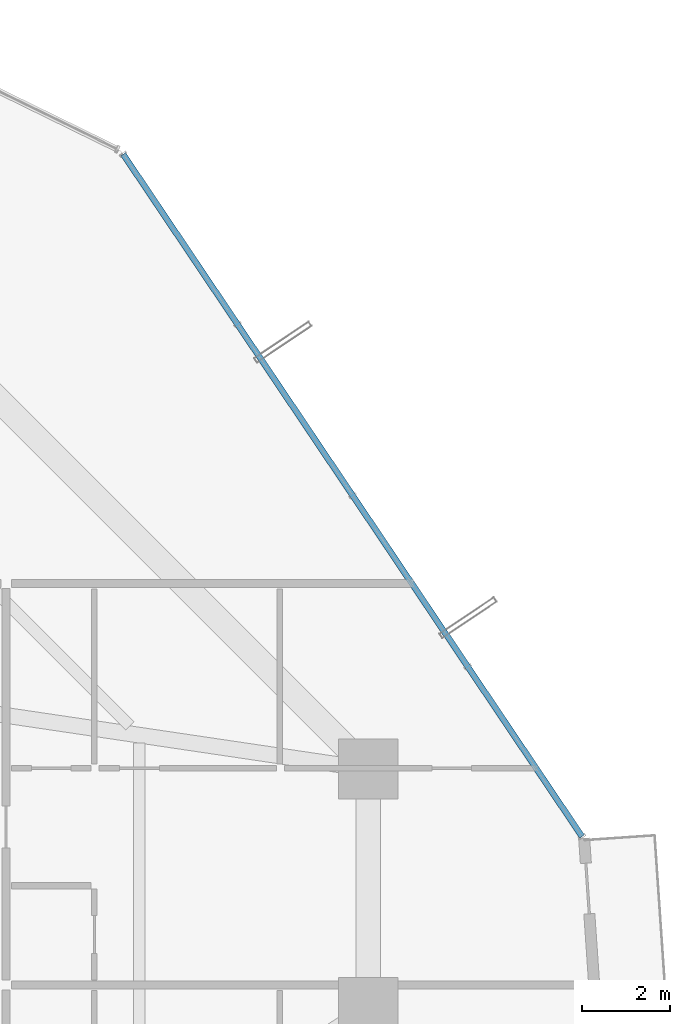
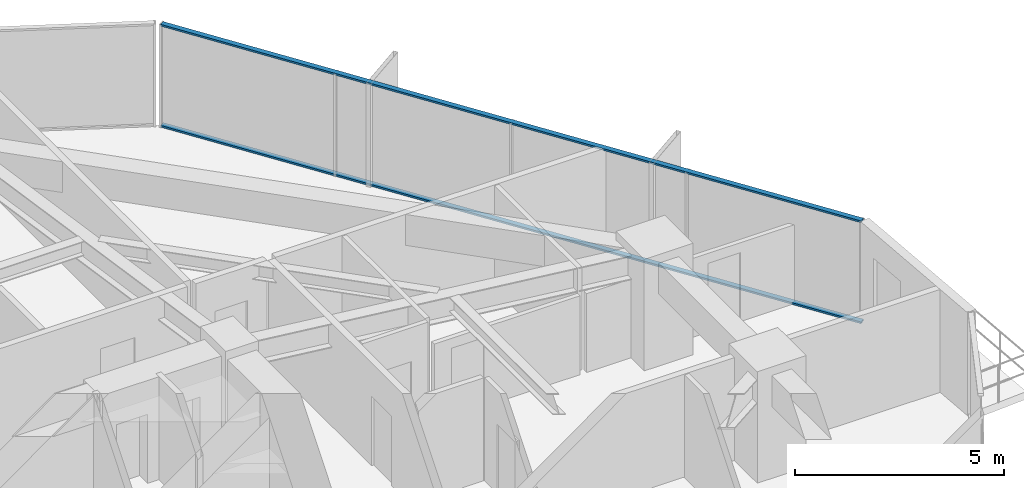
# One storey, part 30 of 37: 2 members, 1 element without a shape of its own.
"""IFC4 building model written with IfcOpenShell, lengths in metres."""

from ifc_helpers import new_model, si_unit, direction, frame, origin, origin_2d, place, context, subcontext, project, spatial, hollow_rectangle, extrude, source, transform, mapped, material, layer, layer_set, material_profile, profile_set, type_object, element, aggregate, save


model = new_model("IFC4")

# Units and contexts
model_context = context("Model", 3, precision=1e-05, world=origin(), true_north=direction((0.0, 1.0)))
body_context = subcontext(model_context, "Body", "Model", "MODEL_VIEW")
ifc_project = project(units=[si_unit("LENGTHUNIT", "METRE"), si_unit("AREAUNIT", "SQUARE_METRE"), si_unit("VOLUMEUNIT", "CUBIC_METRE"), si_unit("PLANEANGLEUNIT", "RADIAN"), si_unit("MASSUNIT", "GRAM", prefix="KILO")], contexts=[model_context])

# Site, building, storey
site_placement = place(None, origin())
site = spatial("IfcSite", under=ifc_project, at=site_placement, CompositionType="ELEMENT")
building_placement = place(site_placement, origin())
building = spatial("IfcBuilding", under=site, at=building_placement, Name="Veraguas Prism Commons", CompositionType="ELEMENT")
storey_placement = place(building_placement, frame((0.0, 0.0, 37.050048828125)))
storey = spatial("IfcBuildingStorey", under=building, at=storey_placement, Name="L09", CompositionType="ELEMENT", Elevation=37.050048828125)

# Curtain wall, members
ifc_material = material(Name="Anodised aluminium EN AW-6063 T6", Category="aluminium")
ifc_layer = layer(ifc_material, 0.169921875, Name="Unitised Flush Curtain Wall Zone 1", Category="aluminium")
ifc_layer_set = layer_set([ifc_layer], Name="Anodised aluminium EN AW-6063 T6")
curtain_wall_type = type_object("IfcCurtainWallType", Name="Unitised Flush Curtain Wall Zone 1", PredefinedType="NOTDEFINED", material=ifc_layer_set)
curtain_wall_placement = place(storey_placement, origin())
curtain_wall = element("IfcCurtainWall", 1, at=curtain_wall_placement, inside=storey, type_object=curtain_wall_type, Name="Tower Facade Curtain Wall L09-F1", PredefinedType="NOTDEFINED")
ifc_material_profile = material_profile(ifc_material, hollow_rectangle(XDim=0.054931640625, YDim=0.135009765625, WallThickness=0.0029296875, at=origin_2d()), Name="AL55X135X3")
ifc_profile_set = profile_set([ifc_material_profile], Name="Anodised aluminium EN AW-6063 T6")
member_type = type_object("IfcMemberType", Name="Curtain Wall Transom Standard AL 55x135x3", PredefinedType="USERDEFINED", material=ifc_profile_set)
shared_shape = source(origin(), body_context, "Body", "SweptSolid", [
    extrude(hollow_rectangle(XDim=0.054931640625, YDim=0.135009765625, WallThickness=0.0029296875, at=origin_2d()), origin(), (0.0, 0.0, 1.0), 18.623779296875),
])
member_1_placement = place(storey_placement, frame((46.44384765625, 27.871337890625, 0.02734375), z_axis=(-0.55803852358, 0.829815043368, 0.0), x_axis=(0.0, 0.0, 1.0)))
member_1 = element("IfcMember", 2, at=member_1_placement, type_object=member_type, Name="CW-Z1 Transom 1", ObjectType="TRANSOM", PredefinedType="USERDEFINED", context=body_context, shape_type="MappedRepresentation", body=[
    mapped(shared_shape, transform((0.0, 0.0, 0.0), scale=1.0)),
])
member_2_placement = place(storey_placement, frame((46.44384765625, 27.871337890625, 2.972412109375), z_axis=(-0.55803852358, 0.829815043368, 0.0), x_axis=(0.0, 0.0, 1.0)))
member_2 = element("IfcMember", 3, at=member_2_placement, type_object=member_type, Name="CW-Z1 Transom 2", ObjectType="TRANSOM", PredefinedType="USERDEFINED", context=body_context, shape_type="MappedRepresentation", body=[
    mapped(shared_shape, transform((0.0, 0.0, 0.0), scale=1.0)),
])
aggregate(curtain_wall, [member_1, member_2])

save(model, "model.ifc")
